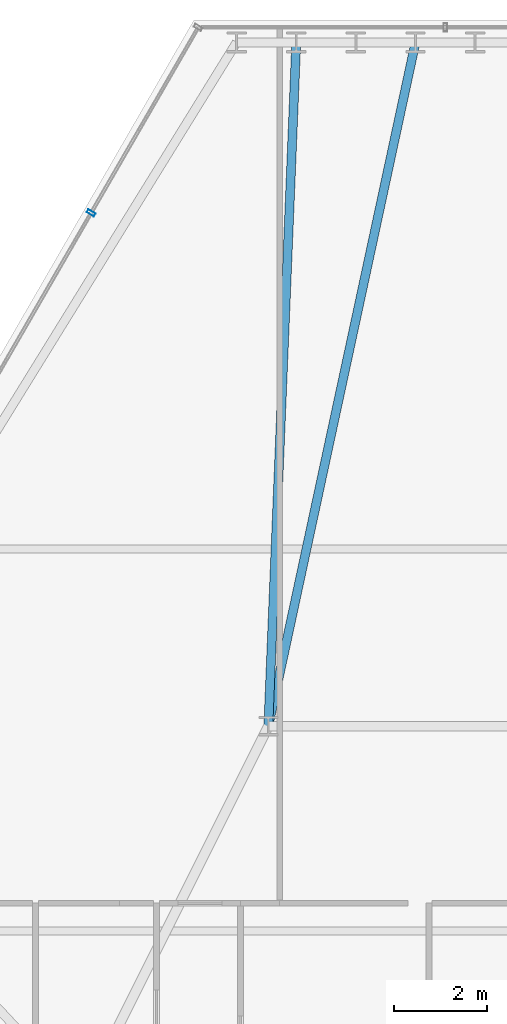
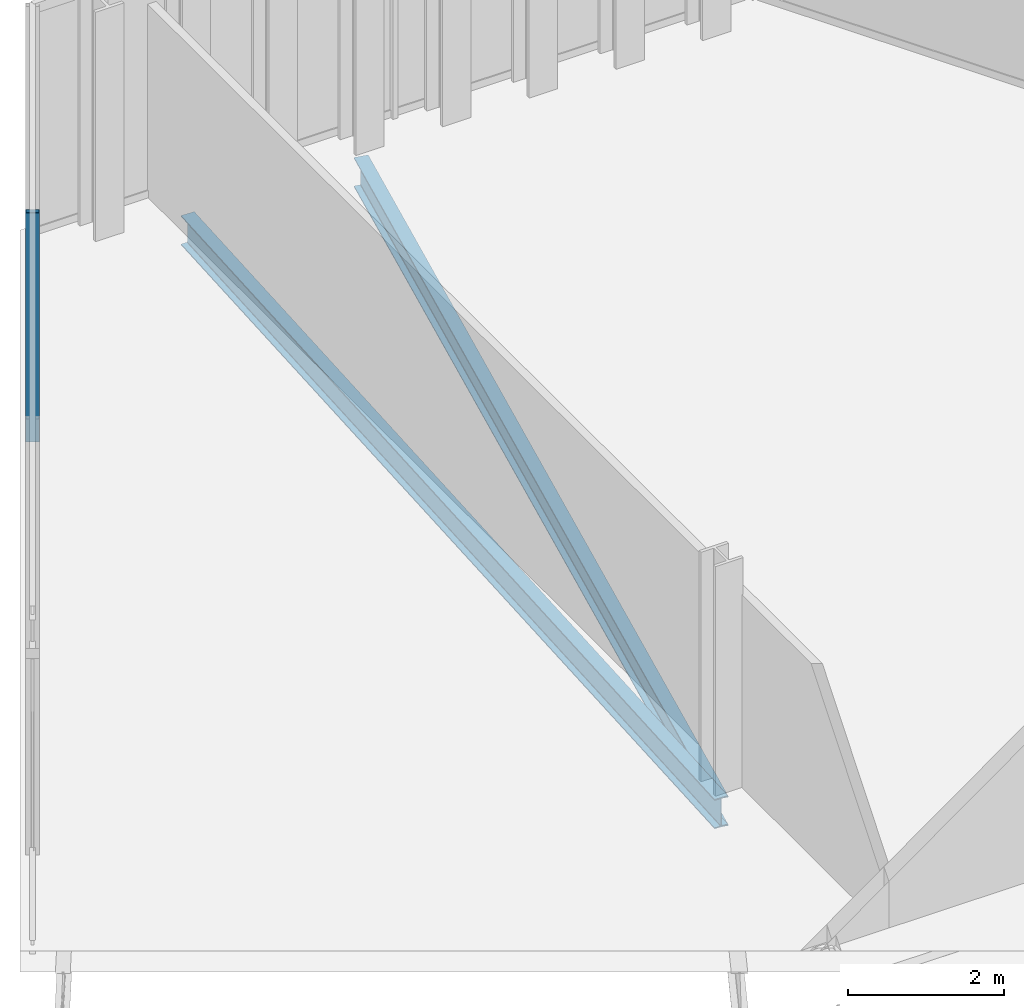
# One storey, part 22 of 33: 2 beams, 1 member, 1 element without a shape of its own.
"""IFC4 building model written with IfcOpenShell, lengths in metres."""

from ifc_helpers import new_model, si_unit, direction, frame, origin, origin_2d, place, context, subcontext, project, spatial, hollow_rectangle, i_section, extrude, material, layer, layer_set, material_profile, profile_set, type_object, element, aggregate, save


model = new_model("IFC4")

# Units and contexts
model_context = context("Model", 3, precision=1e-05, world=origin(), true_north=direction((0.0, 1.0)))
body_context = subcontext(model_context, "Body", "Model", "MODEL_VIEW")
ifc_project = project(units=[si_unit("LENGTHUNIT", "METRE"), si_unit("AREAUNIT", "SQUARE_METRE"), si_unit("VOLUMEUNIT", "CUBIC_METRE"), si_unit("PLANEANGLEUNIT", "RADIAN"), si_unit("MASSUNIT", "GRAM", prefix="KILO")], contexts=[model_context])

# Site, building, storey
site_placement = place(None, origin())
site = spatial("IfcSite", under=ifc_project, at=site_placement, CompositionType="ELEMENT")
building_placement = place(site_placement, origin())
building = spatial("IfcBuilding", under=site, at=building_placement, Name="Ndaravel Arena Tower", CompositionType="ELEMENT")
storey_placement = place(building_placement, frame((0.0, 0.0, 165.0)))
storey = spatial("IfcBuildingStorey", under=building, at=storey_placement, Name="L39", CompositionType="ELEMENT", Elevation=165.0)

# Beams
ifc_material_1 = material(Name="Steel S355", Category="steel")
ifc_material_profile_1 = material_profile(ifc_material_1, i_section(OverallWidth=0.19140625, OverallDepth=0.4599609375, WebThickness=0.010009765625, FlangeThickness=0.01611328125, FilletRadius=0.01025390625, at=origin_2d()), Name="UB 457x191x82")
ifc_profile_set_1 = profile_set([ifc_material_profile_1], Name="Steel S355")
beam_type = type_object("IfcBeamType", Name="BM-GIRD-UB457", PredefinedType="BEAM", material=ifc_profile_set_1)
beam_1_placement = place(storey_placement, frame((41.360107421875, 45.881591796875, -0.449951171875), z_axis=(-0.210426050317, -0.977609777646, 0.0), x_axis=(0.977609777646, -0.210426050317, 0.0)))
element("IfcBeam", 1, at=beam_1_placement, inside=storey, type_object=beam_type, Name="L39 Radial Floor Girder FG-15", PredefinedType="BEAM", context=body_context, shape_type="SweptSolid", body=[
    extrude(i_section(OverallWidth=0.19140625, OverallDepth=0.4599609375, WebThickness=0.010009765625, FlangeThickness=0.01611328125, FilletRadius=0.01025390625, at=origin_2d()), origin(), (0.0, 0.0, 1.0), 15.017822265625),
])
beam_2_placement = place(storey_placement, frame((38.7998046875, 45.881591796875, -0.449951171875), z_axis=(-0.040823330395, -0.999166380387, 0.0), x_axis=(0.999166380387, -0.040823330395, 0.0)))
element("IfcBeam", 2, at=beam_2_placement, inside=storey, type_object=beam_type, Name="L39 Radial Floor Girder FG-17", PredefinedType="BEAM", context=body_context, shape_type="SweptSolid", body=[
    extrude(i_section(OverallWidth=0.19140625, OverallDepth=0.4599609375, WebThickness=0.010009765625, FlangeThickness=0.01611328125, FilletRadius=0.01025390625, at=origin_2d()), origin(), (0.0, 0.0, 1.0), 14.69384765625),
])

# Curtain wall, member
ifc_material_2 = material(Name="Aluminium", Category="aluminium")
ifc_layer = layer(ifc_material_2, 0.179931640625)
ifc_layer_set = layer_set([ifc_layer], Name="Aluminium")
curtain_wall_type = type_object("IfcCurtainWallType", Name="CW-SYS-03", PredefinedType="NOTDEFINED", material=ifc_layer_set)
curtain_wall_placement = place(storey_placement, origin())
curtain_wall = element("IfcCurtainWall", 3, at=curtain_wall_placement, inside=storey, type_object=curtain_wall_type, Name="L39 Faceted Crystal Curtain Wall CW-L39-E05", PredefinedType="NOTDEFINED")
ifc_material_3 = material(Name="Aluminium", Category="aluminium")
ifc_material_profile_2 = material_profile(ifc_material_3, hollow_rectangle(XDim=0.074951171875, YDim=0.179931640625, WallThickness=0.00390625, at=origin_2d()), Name="CW MULLION 75x180x4")
ifc_profile_set_2 = profile_set([ifc_material_profile_2], Name="Aluminium")
member_type = type_object("IfcMemberType", Name="MEM-CW-MUL180", PredefinedType="MULLION", material=ifc_profile_set_2)
member_placement = place(storey_placement, frame((34.396240234375, 42.219970703125, 0.0), z_axis=(0.0, 0.0, 1.0), x_axis=(-0.5, -0.866025403784, 0.0)))
member = element("IfcMember", 4, at=member_placement, type_object=member_type, Name="CW-L39-E05 Mullion 01", PredefinedType="MULLION", context=body_context, shape_type="SweptSolid", body=[
    extrude(hollow_rectangle(XDim=0.074951171875, YDim=0.179931640625, WallThickness=0.00390625, at=origin_2d()), origin(), (0.0, 0.0, 1.0), 3.580078125),
])
aggregate(curtain_wall, [member])

save(model, "model.ifc")
